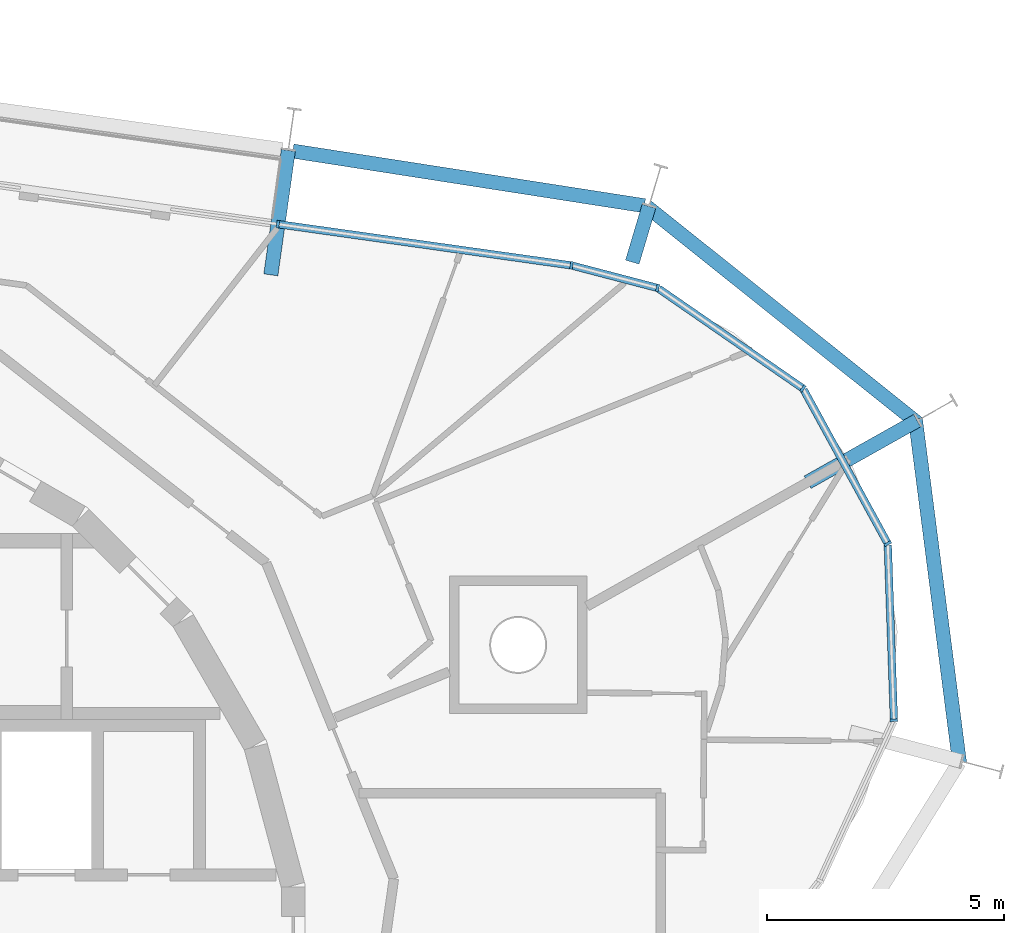
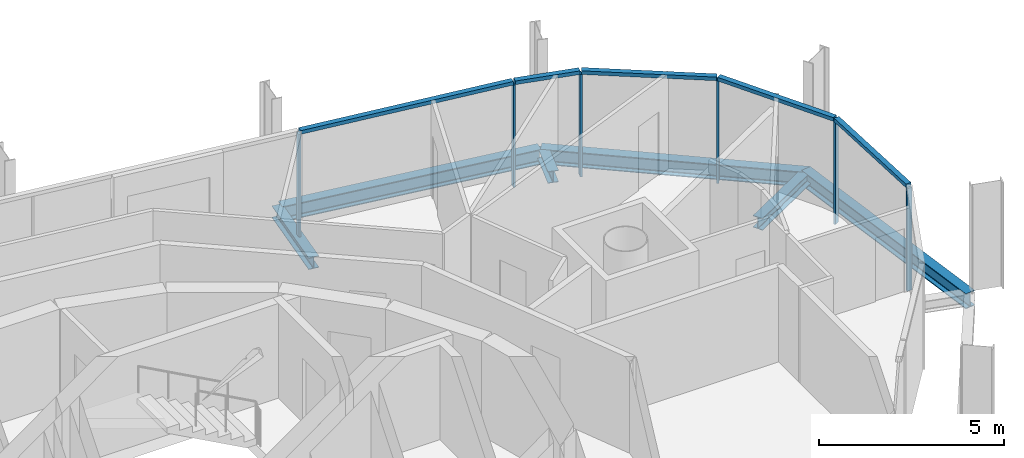
# One storey, part 7 of 15: 11 members, 6 beams, 2 elements without a shape of their own.
"""IFC4 building model written with IfcOpenShell, lengths in metres."""

from ifc_helpers import new_model, si_unit, direction, frame, origin, origin_2d, place, context, subcontext, project, spatial, rectangle, i_section, extrude, material, layer, layer_set, material_profile, profile_set, type_object, element, aggregate, save


model = new_model("IFC4")

# Units and contexts
model_context = context("Model", 3, precision=1e-05, world=origin(), true_north=direction((0.0, 1.0)))
body_context = subcontext(model_context, "Body", "Model", "MODEL_VIEW")
ifc_project = project(units=[si_unit("LENGTHUNIT", "METRE"), si_unit("AREAUNIT", "SQUARE_METRE"), si_unit("VOLUMEUNIT", "CUBIC_METRE"), si_unit("PLANEANGLEUNIT", "RADIAN"), si_unit("MASSUNIT", "GRAM", prefix="KILO")], contexts=[model_context])

# Site, building, storey
site_placement = place(None, origin())
site = spatial("IfcSite", under=ifc_project, at=site_placement, CompositionType="ELEMENT")
building_placement = place(site_placement, origin())
building = spatial("IfcBuilding", under=site, at=building_placement, Name="Spindle Arch Residences", CompositionType="ELEMENT")
storey_placement = place(building_placement, frame((0.0, 0.0, 357.5)))
storey = spatial("IfcBuildingStorey", under=building, at=storey_placement, Name="L92", CompositionType="ELEMENT", Elevation=357.5)

# Curtain wall, members
ifc_material_1 = material(Name="Aluminium bronze unitised frame with tinted glass", Category="aluminium")
ifc_layer_1 = layer(ifc_material_1, 0.159912109375)
ifc_layer_set_1 = layer_set([ifc_layer_1], Name="CW-D corner wall on the fillet arcs")
curtain_wall_type_1 = type_object("IfcCurtainWallType", Name="CW-D corner wall on the fillet arcs", PredefinedType="NOTDEFINED", material=ifc_layer_set_1)
curtain_wall_1_placement = place(storey_placement, origin())
curtain_wall_1 = element("IfcCurtainWall", 1, at=curtain_wall_1_placement, inside=storey, type_object=curtain_wall_type_1, Name="CW-D L92 run 1", PredefinedType="NOTDEFINED")
ifc_material_2 = material(Name="Aluminium bronze anodised mullion", Category="aluminium")
ifc_material_profile_1 = material_profile(ifc_material_2, rectangle(XDim=0.159912109375, YDim=0.06005859375, at=origin_2d()), Name="MU 60x160")
ifc_profile_set_1 = profile_set([ifc_material_profile_1], Name="Aluminium bronze anodised mullion")
member_type_1 = type_object("IfcMemberType", Name="Bronze mullion 60x160", PredefinedType="MULLION", material=ifc_profile_set_1)
member_1_placement = place(storey_placement, frame((24.31201171875, 5.033935546875, -0.3798828125), z_axis=(0.0, 0.0, 1.0), x_axis=(-0.999390827004, -0.034899497139, 0.0)))
member_1 = element("IfcMember", 2, at=member_1_placement, type_object=member_type_1, Name="CW-D mullion 02", PredefinedType="MULLION", context=body_context, shape_type="SweptSolid", body=[
    extrude(rectangle(XDim=0.159912109375, YDim=0.06005859375, at=origin_2d()), origin(), (0.0, 0.0, 1.0), 3.3798828125),
])
member_2_placement = place(storey_placement, frame((24.18212890625, 8.758544921875, -0.3798828125), z_axis=(0.0, 0.0, 1.0), x_axis=(-0.877425397533, -0.479713114021, 0.0)))
member_2 = element("IfcMember", 3, at=member_2_placement, type_object=member_type_1, Name="CW-D mullion 03", PredefinedType="MULLION", context=body_context, shape_type="SweptSolid", body=[
    extrude(rectangle(XDim=0.159912109375, YDim=0.06005859375, at=origin_2d()), origin(), (0.0, 0.0, 1.0), 3.3798828125),
])
member_3_placement = place(storey_placement, frame((22.394287109375, 12.0283203125, -0.3798828125), z_axis=(0.0, 0.0, 1.0), x_axis=(-0.568801123739, -0.822475094841, 0.0)))
member_3 = element("IfcMember", 4, at=member_3_placement, type_object=member_type_1, Name="CW-D mullion 04", PredefinedType="MULLION", context=body_context, shape_type="SweptSolid", body=[
    extrude(rectangle(XDim=0.159912109375, YDim=0.06005859375, at=origin_2d()), origin(), (0.0, 0.0, 1.0), 3.3798828125),
])
member_4_placement = place(storey_placement, frame((19.3291015625, 14.148193359375, -0.3798828125), z_axis=(0.0, 0.0, 1.0), x_axis=(-0.25319517245, -0.967415218326, 0.0)))
member_4 = element("IfcMember", 5, at=member_4_placement, type_object=member_type_1, Name="CW-D mullion 05", PredefinedType="MULLION", context=body_context, shape_type="SweptSolid", body=[
    extrude(rectangle(XDim=0.159912109375, YDim=0.06005859375, at=origin_2d()), origin(), (0.0, 0.0, 1.0), 3.3798828125),
])
member_5_placement = place(storey_placement, frame((17.51416015625, 14.623291015625, -0.3798828125), z_axis=(0.0, 0.0, 1.0), x_axis=(-0.13917310096, -0.990268068742, 0.0)))
member_5 = element("IfcMember", 6, at=member_5_placement, type_object=member_type_1, Name="CW-D mullion 06", PredefinedType="MULLION", context=body_context, shape_type="SweptSolid", body=[
    extrude(rectangle(XDim=0.159912109375, YDim=0.06005859375, at=origin_2d()), origin(), (0.0, 0.0, 1.0), 3.3798828125),
])

# Curtain wall, member
ifc_material_3 = material(Name="Aluminium bronze unitised frame with tinted glass", Category="aluminium")
ifc_layer_2 = layer(ifc_material_3, 0.159912109375)
ifc_layer_set_2 = layer_set([ifc_layer_2], Name="CW-C typical residential unitised wall")
curtain_wall_type_2 = type_object("IfcCurtainWallType", Name="CW-C typical residential unitised wall", PredefinedType="NOTDEFINED", material=ifc_layer_set_2)
curtain_wall_2_placement = place(storey_placement, origin())
curtain_wall_2 = element("IfcCurtainWall", 7, at=curtain_wall_2_placement, inside=storey, type_object=curtain_wall_type_2, Name="CW-C L92 run 2", PredefinedType="NOTDEFINED")
member_6_placement = place(storey_placement, frame((11.326171875, 15.492919921875, -0.3798828125), z_axis=(0.0, 0.0, 1.0), x_axis=(-0.13917310096, -0.990268068742, 0.0)))
member_6 = element("IfcMember", 8, at=member_6_placement, type_object=member_type_1, Name="CW-C mullion 05", PredefinedType="MULLION", context=body_context, shape_type="SweptSolid", body=[
    extrude(rectangle(XDim=0.159912109375, YDim=0.06005859375, at=origin_2d()), origin(), (0.0, 0.0, 1.0), 3.3798828125),
])
aggregate(curtain_wall_2, [member_6])

# Member
ifc_material_4 = material(Name="Aluminium bronze anodised transom", Category="aluminium")
ifc_material_profile_2 = material_profile(ifc_material_4, rectangle(XDim=0.159912109375, YDim=0.1201171875, at=origin_2d()), Name="TR 120x160")
ifc_profile_set_2 = profile_set([ifc_material_profile_2], Name="Aluminium bronze anodised transom")
member_type_2 = type_object("IfcMemberType", Name="Bronze transom 120x160", PredefinedType="USERDEFINED", material=ifc_profile_set_2)
member_7_placement = place(storey_placement, frame((24.31103515625, 5.06396484375, 3.06005859375), z_axis=(-0.034888806725, 0.999391200264, 0.0), x_axis=(-0.999391200264, -0.034888806725, 0.0)))
member_7 = element("IfcMember", 9, at=member_7_placement, type_object=member_type_2, Name="CW-D transom 02", ObjectType="TRANSOM", PredefinedType="USERDEFINED", context=body_context, shape_type="SweptSolid", body=[
    extrude(rectangle(XDim=0.159912109375, YDim=0.1201171875, at=origin_2d()), origin(), (0.0, 0.0, 1.0), 3.666748046875),
])

member_8_placement = place(storey_placement, frame((24.167724609375, 8.784912109375, 3.06005859375), z_axis=(-0.479724247399, 0.877419310511, 0.0), x_axis=(-0.877419310511, -0.479724247399, 0.0)))
member_8 = element("IfcMember", 10, at=member_8_placement, type_object=member_type_2, Name="CW-D transom 03", ObjectType="TRANSOM", PredefinedType="USERDEFINED", context=body_context, shape_type="SweptSolid", body=[
    extrude(rectangle(XDim=0.159912109375, YDim=0.1201171875, at=origin_2d()), origin(), (0.0, 0.0, 1.0), 3.666748046875),
])

member_9_placement = place(storey_placement, frame((22.36962890625, 12.04541015625, 3.06005859375), z_axis=(-0.822474926174, 0.568801367628, 0.0), x_axis=(-0.568801367628, -0.822474926174, 0.0)))
member_9 = element("IfcMember", 11, at=member_9_placement, type_object=member_type_2, Name="CW-D transom 04", ObjectType="TRANSOM", PredefinedType="USERDEFINED", context=body_context, shape_type="SweptSolid", body=[
    extrude(rectangle(XDim=0.159912109375, YDim=0.1201171875, at=origin_2d()), origin(), (0.0, 0.0, 1.0), 3.666748046875),
])

member_10_placement = place(storey_placement, frame((19.300048828125, 14.15576171875, 3.06005859375), z_axis=(-0.96739418578, 0.253275520568, 0.0), x_axis=(-0.253275520568, -0.96739418578, 0.0)))
member_10 = element("IfcMember", 12, at=member_10_placement, type_object=member_type_2, Name="CW-D transom 05", ObjectType="TRANSOM", PredefinedType="USERDEFINED", context=body_context, shape_type="SweptSolid", body=[
    extrude(rectangle(XDim=0.159912109375, YDim=0.1201171875, at=origin_2d()), origin(), (0.0, 0.0, 1.0), 1.816162109375),
])

member_11_placement = place(storey_placement, frame((17.484375, 14.62744140625, 3.06005859375), z_axis=(-0.990267285989, 0.139178670423, 0.0), x_axis=(-0.139178670423, -0.990267285989, 0.0)))
member_11 = element("IfcMember", 13, at=member_11_placement, type_object=member_type_2, Name="CW-D transom 06", ObjectType="TRANSOM", PredefinedType="USERDEFINED", context=body_context, shape_type="SweptSolid", body=[
    extrude(rectangle(XDim=0.159912109375, YDim=0.1201171875, at=origin_2d()), origin(), (0.0, 0.0, 1.0), 6.188720703125),
])

aggregate(curtain_wall_1, [member_1, member_7, member_2, member_8, member_3, member_9, member_4, member_10, member_5, member_11])

# Beams
ifc_material_5 = material(Name="Steel S460ML, intumescent coating R 120", Category="steel")
ifc_material_profile_3 = material_profile(ifc_material_5, i_section(OverallWidth=0.300048828125, OverallDepth=0.5, WebThickness=0.014404296875, FlangeThickness=0.028076171875, FilletRadius=0.027099609375, at=origin_2d()), Name="HEB 500")
ifc_profile_set_3 = profile_set([ifc_material_profile_3], Name="Steel S460ML, intumescent coating R 120")
beam_type_1 = type_object("IfcBeamType", Name="Exoskeleton edge beam HEB 500", PredefinedType="BEAM", material=ifc_profile_set_3)
beam_1_placement = place(storey_placement, frame((25.69580078125, 4.128662109375, -0.6298828125), z_axis=(-0.127344466516, 0.991858551835, 0.0), x_axis=(-0.991858551835, -0.127344466516, 0.0)))
element("IfcBeam", 14, at=beam_1_placement, inside=storey, type_object=beam_type_1, Name="Exoskeleton edge beam 3", PredefinedType="BEAM", context=body_context, shape_type="SweptSolid", body=[
    extrude(i_section(OverallWidth=0.300048828125, OverallDepth=0.5, WebThickness=0.014404296875, FlangeThickness=0.028076171875, FilletRadius=0.027099609375, at=origin_2d()), origin(), (0.0, 0.0, 1.0), 7.31591796875),
])
beam_2_placement = place(storey_placement, frame((24.811279296875, 11.30078125, -0.6298828125), z_axis=(-0.781184527882, 0.624300194937, 0.0), x_axis=(-0.624300194937, -0.781184527882, 0.0)))
element("IfcBeam", 15, at=beam_2_placement, inside=storey, type_object=beam_type_1, Name="Exoskeleton edge beam 4", PredefinedType="BEAM", context=body_context, shape_type="SweptSolid", body=[
    extrude(i_section(OverallWidth=0.300048828125, OverallDepth=0.5, WebThickness=0.014404296875, FlangeThickness=0.028076171875, FilletRadius=0.027099609375, at=origin_2d()), origin(), (0.0, 0.0, 1.0), 7.315673828125),
])
beam_3_placement = place(storey_placement, frame((19.051513671875, 15.881103515625, -0.6298828125), z_axis=(-0.988123169285, 0.15366392655, 0.0), x_axis=(-0.15366392655, -0.988123169285, 0.0)))
element("IfcBeam", 16, at=beam_3_placement, inside=storey, type_object=beam_type_1, Name="Exoskeleton edge beam 5", PredefinedType="BEAM", context=body_context, shape_type="SweptSolid", body=[
    extrude(i_section(OverallWidth=0.300048828125, OverallDepth=0.5, WebThickness=0.014404296875, FlangeThickness=0.028076171875, FilletRadius=0.027099609375, at=origin_2d()), origin(), (0.0, 0.0, 1.0), 7.500732421875),
])
ifc_material_6 = material(Name="Steel S460ML, intumescent coating R 120", Category="steel")
ifc_material_profile_4 = material_profile(ifc_material_6, i_section(OverallWidth=0.300048828125, OverallDepth=0.389892578125, WebThickness=0.010986328125, FlangeThickness=0.01904296875, FilletRadius=0.027099609375, at=origin_2d()), Name="HEA 400")
ifc_profile_set_4 = profile_set([ifc_material_profile_4], Name="Steel S460ML, intumescent coating R 120")
beam_type_2 = type_object("IfcBeamType", Name="Floor outrigger HEA 400", PredefinedType="BEAM", material=ifc_profile_set_4)
beam_4_placement = place(storey_placement, frame((24.801513671875, 11.3505859375, -0.574951171875), z_axis=(-0.871686240554, -0.490064381514, 0.0), x_axis=(0.490064381514, -0.871686240554, 0.0)))
element("IfcBeam", 17, at=beam_4_placement, inside=storey, type_object=beam_type_2, Name="Floor outrigger 4", PredefinedType="BEAM", context=body_context, shape_type="SweptSolid", body=[
    extrude(i_section(OverallWidth=0.300048828125, OverallDepth=0.389892578125, WebThickness=0.010986328125, FlangeThickness=0.01904296875, FilletRadius=0.027099609375, at=origin_2d()), origin(), (0.0, 0.0, 1.0), 2.64990234375),
])
beam_5_placement = place(storey_placement, frame((19.147216796875, 15.869384765625, -0.574951171875), z_axis=(-0.285798722121, -0.958289669377, 0.0), x_axis=(0.958289669377, -0.285798722121, 0.0)))
element("IfcBeam", 18, at=beam_5_placement, inside=storey, type_object=beam_type_2, Name="Floor outrigger 5", PredefinedType="BEAM", context=body_context, shape_type="SweptSolid", body=[
    extrude(i_section(OverallWidth=0.300048828125, OverallDepth=0.389892578125, WebThickness=0.010986328125, FlangeThickness=0.01904296875, FilletRadius=0.027099609375, at=origin_2d()), origin(), (0.0, 0.0, 1.0), 1.229248046875),
])
beam_6_placement = place(storey_placement, frame((11.544921875, 17.047607421875, -0.574951171875), z_axis=(-0.1392026036, -0.990263921968, 0.0), x_axis=(0.990263921968, -0.1392026036, 0.0)))
element("IfcBeam", 19, at=beam_6_placement, inside=storey, type_object=beam_type_2, Name="Floor outrigger 6", PredefinedType="BEAM", context=body_context, shape_type="SweptSolid", body=[
    extrude(i_section(OverallWidth=0.300048828125, OverallDepth=0.389892578125, WebThickness=0.010986328125, FlangeThickness=0.01904296875, FilletRadius=0.027099609375, at=origin_2d()), origin(), (0.0, 0.0, 1.0), 2.650146484375),
])

save(model, "model.ifc")
